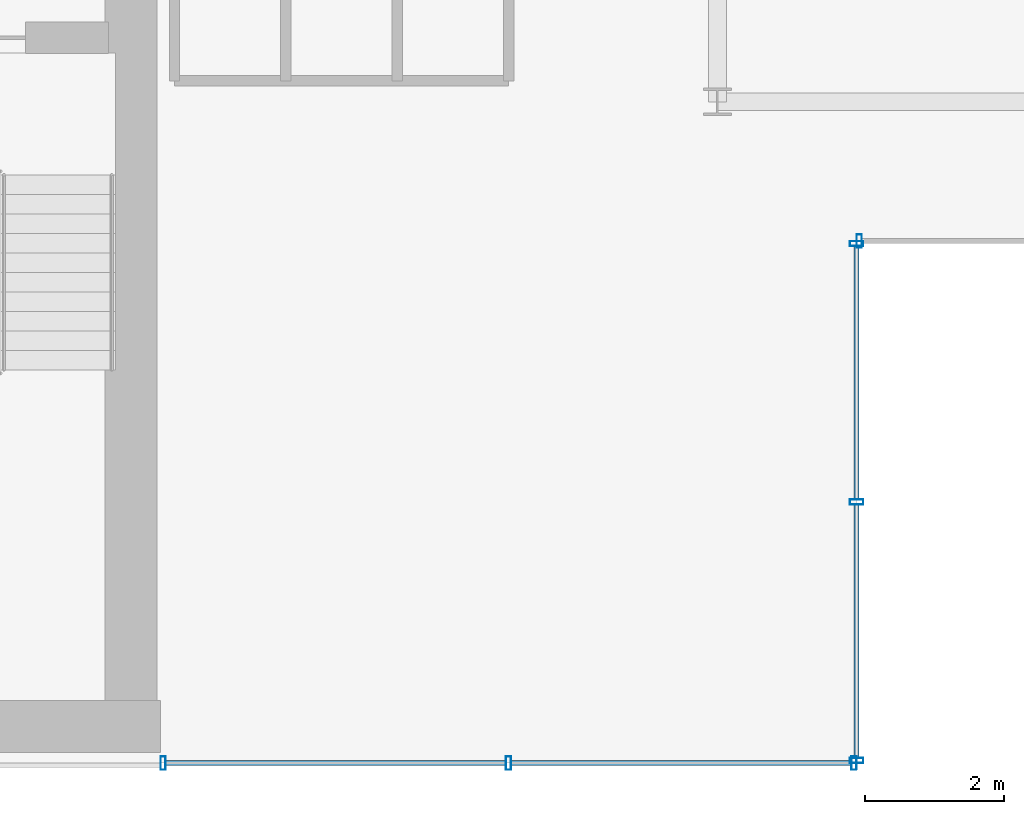
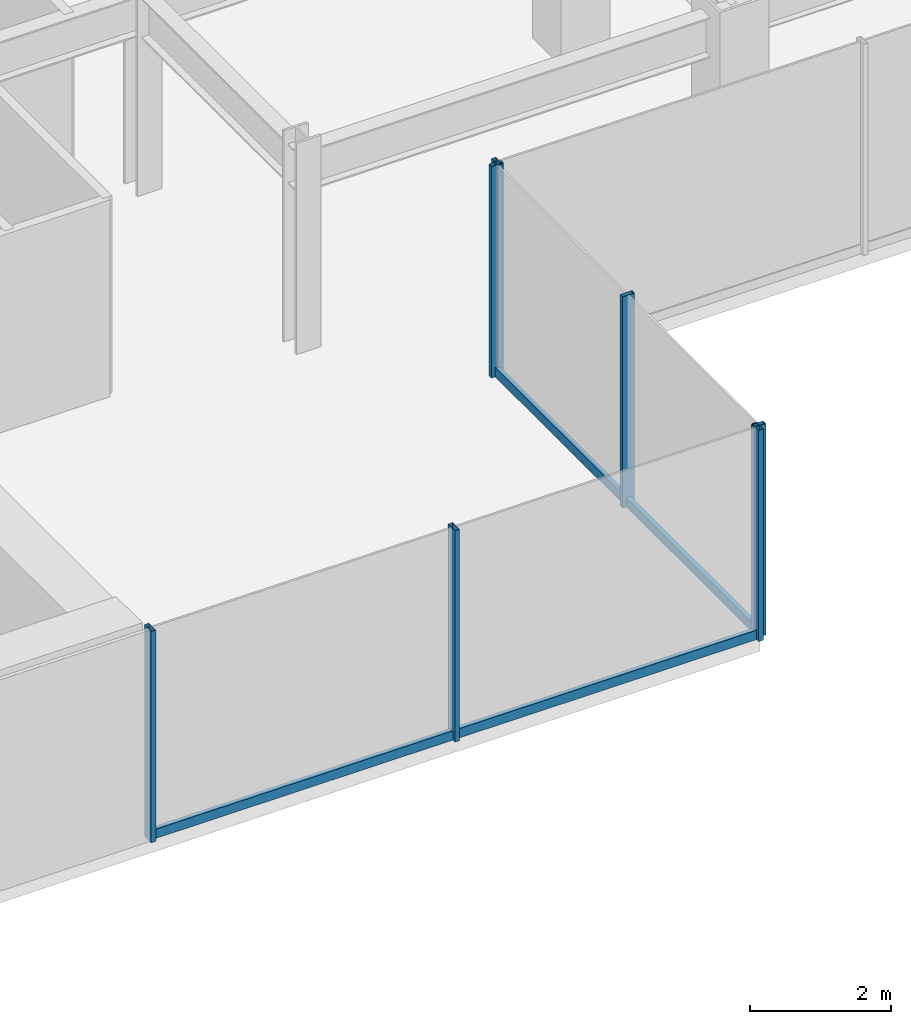
# One storey, part 8 of 26: 11 members, 3 elements without a shape of their own.
"""IFC4 building model written with IfcOpenShell, lengths in metres."""

from ifc_helpers import new_model, si_unit, derived_unit, direction, frame, origin, origin_2d, place, context, subcontext, project, spatial, hollow_rectangle, extrude, source, transform, mapped, material, material_profile, profile_set, type_object, element, aggregate, save


model = new_model("IFC4")

# Units and contexts
model_context = context("Model", 3, precision=1e-05, world=origin(), true_north=direction((0.0, 1.0)))
body_context = subcontext(model_context, "Body", "Model", "MODEL_VIEW")
ifc_project = project(units=[si_unit("LENGTHUNIT", "METRE"), si_unit("AREAUNIT", "SQUARE_METRE"), si_unit("VOLUMEUNIT", "CUBIC_METRE"), si_unit("PLANEANGLEUNIT", "RADIAN"), si_unit("MASSUNIT", "GRAM", prefix="KILO"), derived_unit("THERMALTRANSMITTANCEUNIT", [(si_unit("POWERUNIT", "WATT"), 1), (si_unit("LENGTHUNIT", "METRE"), -2), (si_unit("THERMODYNAMICTEMPERATUREUNIT", "KELVIN"), -1)])], contexts=[model_context])

# Site, building, storey
site_placement = place(None, origin())
site = spatial("IfcSite", under=ifc_project, at=site_placement, CompositionType="ELEMENT")
building_placement = place(site_placement, origin())
building = spatial("IfcBuilding", under=site, at=building_placement, Name="Skarnbrae Concourse Arena and Tower", CompositionType="ELEMENT")
storey_placement = place(building_placement, frame((0.0, 0.0, 106.89990234375)))
storey = spatial("IfcBuildingStorey", under=building, at=storey_placement, Name="L26", CompositionType="ELEMENT", Elevation=106.89990234375)

# Curtain wall, members
ifc_material = material(Name="Bronze anodised aluminium 6063-T6", Category="aluminium")
curtain_wall_type = type_object("IfcCurtainWallType", Name="CW-SYS-04-MIDZONE", PredefinedType="USERDEFINED", material=ifc_material)
curtain_wall_1_placement = place(storey_placement, origin())
curtain_wall_1 = element("IfcCurtainWall", 1, at=curtain_wall_1_placement, inside=storey, type_object=curtain_wall_type, Name="L26 Unitised curtain wall CW-L26-SE-SPINE", ObjectType="UNITISED CURTAIN WALL", PredefinedType="USERDEFINED")
ifc_material_profile_1 = material_profile(ifc_material, hollow_rectangle(XDim=0.074951171875, YDim=0.195068359375, WallThickness=0.00439453125, at=origin_2d()), Name="ALU-MULL-75X195")
ifc_profile_set_1 = profile_set([ifc_material_profile_1], Name="Bronze anodised aluminium 6063-T6")
member_type_1 = type_object("IfcMemberType", Name="CWM-CW-04", PredefinedType="MULLION", material=ifc_profile_set_1)
shared_shape_1 = source(origin(), body_context, "Body", "SweptSolid", [
    extrude(hollow_rectangle(XDim=0.074951171875, YDim=0.195068359375, WallThickness=0.00439453125, at=origin_2d()), origin(), (0.0, 0.0, 1.0), 3.650146484375),
])
member_1_placement = place(storey_placement, frame((34.03759765625, 0.0, 0.0), z_axis=(0.0, 0.0, 1.0), x_axis=(1.0, 0.0, 0.0)))
member_1 = element("IfcMember", 2, at=member_1_placement, type_object=member_type_1, Name="CW-L26-SE-SPINE Mullion 1", PredefinedType="MULLION", context=body_context, shape_type="MappedRepresentation", body=[
    mapped(shared_shape_1, transform((0.0, 0.0, 0.0))),
])
member_2_placement = place(storey_placement, frame((39.0, 0.0, 0.0), z_axis=(0.0, 0.0, 1.0), x_axis=(1.0, 0.0, 0.0)))
member_2 = element("IfcMember", 3, at=member_2_placement, type_object=member_type_1, Name="CW-L26-SE-SPINE Mullion 2", PredefinedType="MULLION", context=body_context, shape_type="MappedRepresentation", body=[
    mapped(shared_shape_1, transform((0.0, 0.0, 0.0))),
])
member_3_placement = place(storey_placement, frame((43.96240234375, 0.0, 0.0), z_axis=(0.0, 0.0, 1.0), x_axis=(1.0, 0.0, 0.0)))
member_3 = element("IfcMember", 4, at=member_3_placement, type_object=member_type_1, Name="CW-L26-SE-SPINE Mullion 3", PredefinedType="MULLION", context=body_context, shape_type="MappedRepresentation", body=[
    mapped(shared_shape_1, transform((0.0, 0.0, 0.0))),
])

curtain_wall_2_placement = place(storey_placement, origin())
curtain_wall_2 = element("IfcCurtainWall", 5, at=curtain_wall_2_placement, inside=storey, type_object=curtain_wall_type, Name="L26 Unitised curtain wall CW-L26-E02", ObjectType="UNITISED CURTAIN WALL", PredefinedType="USERDEFINED")
member_4_placement = place(storey_placement, frame((44.0, 0.03759765625, 0.0), z_axis=(0.0, 0.0, 1.0), x_axis=(0.0, 1.0, 0.0)))
member_4 = element("IfcMember", 6, at=member_4_placement, type_object=member_type_1, Name="CW-L26-E02 Mullion 1", PredefinedType="MULLION", context=body_context, shape_type="MappedRepresentation", body=[
    mapped(shared_shape_1, transform((0.0, 0.0, 0.0))),
])
member_5_placement = place(storey_placement, frame((44.0, 3.75, 0.0), z_axis=(0.0, 0.0, 1.0), x_axis=(0.0, 1.0, 0.0)))
member_5 = element("IfcMember", 7, at=member_5_placement, type_object=member_type_1, Name="CW-L26-E02 Mullion 2", PredefinedType="MULLION", context=body_context, shape_type="MappedRepresentation", body=[
    mapped(shared_shape_1, transform((0.0, 0.0, 0.0))),
])
member_6_placement = place(storey_placement, frame((44.0, 7.46240234375, 0.0), z_axis=(0.0, 0.0, 1.0), x_axis=(0.0, 1.0, 0.0)))
member_6 = element("IfcMember", 8, at=member_6_placement, type_object=member_type_1, Name="CW-L26-E02 Mullion 3", PredefinedType="MULLION", context=body_context, shape_type="MappedRepresentation", body=[
    mapped(shared_shape_1, transform((0.0, 0.0, 0.0))),
])

# Curtain wall, member
curtain_wall_3_placement = place(storey_placement, origin())
curtain_wall_3 = element("IfcCurtainWall", 9, at=curtain_wall_3_placement, inside=storey, type_object=curtain_wall_type, Name="L26 Unitised curtain wall CW-L26-E03", ObjectType="UNITISED CURTAIN WALL", PredefinedType="USERDEFINED")
member_7_placement = place(storey_placement, frame((44.03759765625, 7.5, 0.0), z_axis=(0.0, 0.0, 1.0), x_axis=(1.0, 0.0, 0.0)))
member_7 = element("IfcMember", 10, at=member_7_placement, type_object=member_type_1, Name="CW-L26-E03 Mullion 1", PredefinedType="MULLION", context=body_context, shape_type="MappedRepresentation", body=[
    mapped(shared_shape_1, transform((0.0, 0.0, 0.0))),
])
aggregate(curtain_wall_3, [member_7])

# Member
ifc_material_profile_2 = material_profile(ifc_material, hollow_rectangle(XDim=0.074951171875, YDim=0.159912109375, WallThickness=0.00439453125, at=origin_2d()), Name="ALU-TRAN-75X160")
ifc_profile_set_2 = profile_set([ifc_material_profile_2], Name="Bronze anodised aluminium 6063-T6")
member_type_2 = type_object("IfcMemberType", Name="CWT-CW-04", PredefinedType="USERDEFINED", material=ifc_profile_set_2)
shared_shape_2 = source(origin(), body_context, "Body", "SweptSolid", [
    extrude(hollow_rectangle(XDim=0.074951171875, YDim=0.159912109375, WallThickness=0.00439453125, at=origin_2d()), origin(), (0.0, 0.0, 1.0), 4.887451171875),
])
member_8_placement = place(storey_placement, frame((34.074951171875, 0.0, 0.080078125), z_axis=(1.0, 0.0, 0.0), x_axis=(0.0, 1.0, 0.0)))
member_8 = element("IfcMember", 11, at=member_8_placement, type_object=member_type_2, Name="CW-L26-SE-SPINE Transom 1", ObjectType="TRANSOM", PredefinedType="USERDEFINED", context=body_context, shape_type="MappedRepresentation", body=[
    mapped(shared_shape_2, transform((0.0, 0.0, 0.0))),
])

member_9_placement = place(storey_placement, frame((39.03759765625, 0.0, 0.080078125), z_axis=(1.0, 0.0, 0.0), x_axis=(0.0, 1.0, 0.0)))
member_9 = element("IfcMember", 12, at=member_9_placement, type_object=member_type_2, Name="CW-L26-SE-SPINE Transom 2", ObjectType="TRANSOM", PredefinedType="USERDEFINED", context=body_context, shape_type="MappedRepresentation", body=[
    mapped(shared_shape_2, transform((0.0, 0.0, 0.0))),
])

aggregate(curtain_wall_1, [member_1, member_2, member_3, member_8, member_9])

shared_shape_3 = source(origin(), body_context, "Body", "SweptSolid", [
    extrude(hollow_rectangle(XDim=0.074951171875, YDim=0.159912109375, WallThickness=0.00439453125, at=origin_2d()), origin(), (0.0, 0.0, 1.0), 3.637451171875),
])
member_10_placement = place(storey_placement, frame((44.0, 0.074951171875, 0.080078125), z_axis=(0.0, 1.0, 0.0), x_axis=(-1.0, 0.0, 0.0)))
member_10 = element("IfcMember", 13, at=member_10_placement, type_object=member_type_2, Name="CW-L26-E02 Transom 1", ObjectType="TRANSOM", PredefinedType="USERDEFINED", context=body_context, shape_type="MappedRepresentation", body=[
    mapped(shared_shape_3, transform((0.0, 0.0, 0.0))),
])

member_11_placement = place(storey_placement, frame((44.0, 3.78759765625, 0.080078125), z_axis=(0.0, 1.0, 0.0), x_axis=(-1.0, 0.0, 0.0)))
member_11 = element("IfcMember", 14, at=member_11_placement, type_object=member_type_2, Name="CW-L26-E02 Transom 2", ObjectType="TRANSOM", PredefinedType="USERDEFINED", context=body_context, shape_type="MappedRepresentation", body=[
    mapped(shared_shape_3, transform((0.0, 0.0, 0.0))),
])

aggregate(curtain_wall_2, [member_4, member_5, member_6, member_10, member_11])

save(model, "model.ifc")
